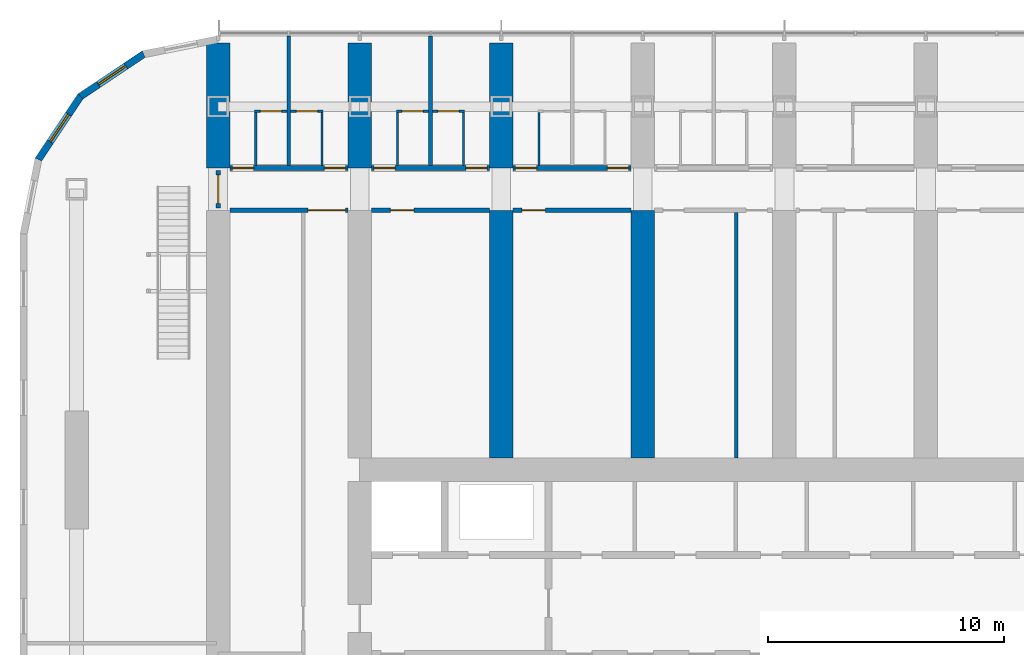
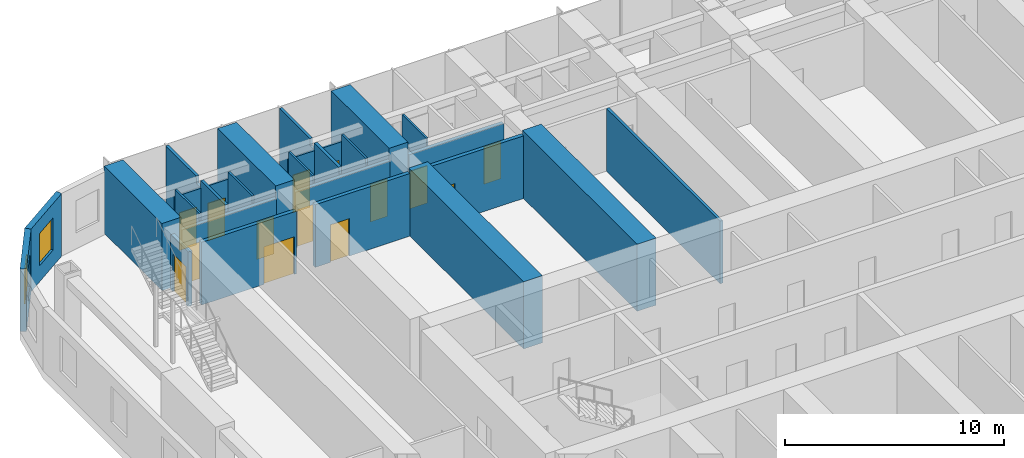
# One storey, part 17 of 28: 26 walls, 14 doors, 2 windows, 16 openings.
"""IFC4 building model written with IfcOpenShell, lengths in metres."""

from ifc_helpers import new_model, si_unit, direction, frame, frame_2d, origin, place, context, subcontext, project, spatial, polyline, rectangle, outline, extrude, material, layer, layer_set, type_object, element, fill, save


model = new_model("IFC4")

# Units and contexts
model_context = context("Model", 3, precision=1e-05, world=origin(), true_north=direction((0.0, 1.0)))
body_context = subcontext(model_context, "Body", "Model", "MODEL_VIEW")
ifc_project = project(units=[si_unit("LENGTHUNIT", "METRE"), si_unit("AREAUNIT", "SQUARE_METRE"), si_unit("VOLUMEUNIT", "CUBIC_METRE"), si_unit("PLANEANGLEUNIT", "RADIAN"), si_unit("MASSUNIT", "GRAM", prefix="KILO")], contexts=[model_context])

# Site, building, storey
site_placement = place(None, origin())
site = spatial("IfcSite", under=ifc_project, at=site_placement, CompositionType="ELEMENT")
building_placement = place(site_placement, origin())
building = spatial("IfcBuilding", under=site, at=building_placement, Name="Orbita Commons", CompositionType="ELEMENT")
storey_placement = place(building_placement, frame((0.0, 0.0, 38.949951171875)))
storey = spatial("IfcBuildingStorey", under=building, at=storey_placement, Name="L09", CompositionType="ELEMENT", Elevation=38.949951171875)

# Wall, openings, doors
ifc_material_1 = material(Name="Concrete blockwork", Category="masonry")
ifc_layer_1 = layer(ifc_material_1, 0.199951171875)
ifc_layer_set_1 = layer_set([ifc_layer_1], Name="Concrete blockwork")
wall_type_1 = type_object("IfcWallType", Name="Corridor wall 200 blockwork", PredefinedType="SOLIDWALL", material=ifc_layer_set_1)
wall_1_placement = place(storey_placement, frame((12.5, 51.0, 0.0), z_axis=(0.0, 0.0, 1.0), x_axis=(1.0, 0.0, 0.0)))
wall_1 = element("IfcWall", 1, at=wall_1_placement, inside=storey, type_object=wall_type_1, Name="Corridor wall 200 blockwork L09", PredefinedType="SOLIDWALL", context=body_context, shape_type="SweptSolid", body=[
    extrude(outline(polyline([(0.0, 0.0), (5.0, 0.0), (5.0, 3.10009765625), (0.0, 3.10009765625), (0.0, 0.0)])), frame((0.0, 0.10009765625, 0.0), z_axis=(0.0, -1.0, 0.0), x_axis=(1.0, 0.0, 0.0)), (0.0, 0.0, 1.0), 0.199951171875),
])
opening_1_placement = place(wall_1_placement, frame((0.10009765625, 0.0, 0.0)))
opening_1 = element("IfcOpeningElement", 2, at=opening_1_placement, cuts=wall_1, Name="Opening D11", PredefinedType="OPENING", context=body_context, shape_type="SweptSolid", body=[
    extrude(rectangle(XDim=0.89990234375, YDim=2.10009765625, at=frame_2d((0.449951171875, 1.050048828125))), frame((0.0, 0.10986328125, 0.0), z_axis=(0.0, -1.0, 0.0), x_axis=(1.0, 0.0, 0.0)), (0.0, 0.0, 1.0), 0.219970703125),
])
opening_2_placement = place(wall_1_placement, frame((4.0, 0.0, 0.0)))
opening_2 = element("IfcOpeningElement", 3, at=opening_2_placement, cuts=wall_1, Name="Opening D11", PredefinedType="OPENING", context=body_context, shape_type="SweptSolid", body=[
    extrude(rectangle(XDim=0.89990234375, YDim=2.10009765625, at=frame_2d((0.449951171875, 1.050048828125))), frame((0.0, 0.10986328125, 0.0), z_axis=(0.0, -1.0, 0.0), x_axis=(1.0, 0.0, 0.0)), (0.0, 0.0, 1.0), 0.219970703125),
])
ifc_material_2 = material(Name="Steel-faced fire door leaf", Category="steel")
door_type_1 = type_object("IfcDoorType", Name="Corridor door 20 min 900x2100", OperationType="SINGLE_SWING_LEFT", PredefinedType="DOOR", material=ifc_material_2)
door_1_placement = place(opening_1_placement, origin())
door_1 = element("IfcDoor", 4, at=door_1_placement, inside=storey, type_object=door_type_1, Name="House bedroom L09-N00 door", OperationType="SINGLE_SWING_LEFT", OverallHeight=2.10009765625, OverallWidth=0.89990234375, PredefinedType="DOOR", context=body_context, shape_type="SweptSolid", body=[
    extrude(rectangle(XDim=0.89990234375, YDim=2.10009765625, at=frame_2d((0.449951171875, 1.050048828125))), frame((0.0, 0.02490234375, 0.0), z_axis=(0.0, -1.0, 0.0), x_axis=(1.0, 0.0, 0.0)), (0.0, 0.0, 1.0), 0.050048828125),
])
fill(opening_1, door_1)
door_2_placement = place(opening_2_placement, origin())
door_2 = element("IfcDoor", 5, at=door_2_placement, inside=storey, type_object=door_type_1, Name="House bedroom L09-N01 door", OperationType="SINGLE_SWING_LEFT", OverallHeight=2.10009765625, OverallWidth=0.89990234375, PredefinedType="DOOR", context=body_context, shape_type="SweptSolid", body=[
    extrude(rectangle(XDim=0.89990234375, YDim=2.10009765625, at=frame_2d((0.449951171875, 1.050048828125))), frame((0.0, 0.02490234375, 0.0), z_axis=(0.0, -1.0, 0.0), x_axis=(1.0, 0.0, 0.0)), (0.0, 0.0, 1.0), 0.050048828125),
])
fill(opening_2, door_2)

wall_2_placement = place(storey_placement, frame((18.5, 51.0, 0.0), z_axis=(0.0, 0.0, 1.0), x_axis=(1.0, 0.0, 0.0)))
wall_2 = element("IfcWall", 6, at=wall_2_placement, inside=storey, type_object=wall_type_1, Name="Corridor wall 200 blockwork L09", PredefinedType="SOLIDWALL", context=body_context, shape_type="SweptSolid", body=[
    extrude(outline(polyline([(0.0, 0.0), (5.0, 0.0), (5.0, 3.10009765625), (0.0, 3.10009765625), (0.0, 0.0)])), frame((0.0, 0.10009765625, 0.0), z_axis=(0.0, -1.0, 0.0), x_axis=(1.0, 0.0, 0.0)), (0.0, 0.0, 1.0), 0.199951171875),
])
opening_3_placement = place(wall_2_placement, frame((0.10009765625, 0.0, 0.0)))
opening_3 = element("IfcOpeningElement", 7, at=opening_3_placement, cuts=wall_2, Name="Opening D11", PredefinedType="OPENING", context=body_context, shape_type="SweptSolid", body=[
    extrude(rectangle(XDim=0.89990234375, YDim=2.10009765625, at=frame_2d((0.449951171875, 1.050048828125))), frame((0.0, 0.10986328125, 0.0), z_axis=(0.0, -1.0, 0.0), x_axis=(1.0, 0.0, 0.0)), (0.0, 0.0, 1.0), 0.219970703125),
])
opening_4_placement = place(wall_2_placement, frame((4.0, 0.0, 0.0)))
opening_4 = element("IfcOpeningElement", 8, at=opening_4_placement, cuts=wall_2, Name="Opening D11", PredefinedType="OPENING", context=body_context, shape_type="SweptSolid", body=[
    extrude(rectangle(XDim=0.89990234375, YDim=2.10009765625, at=frame_2d((0.449951171875, 1.050048828125))), frame((0.0, 0.10986328125, 0.0), z_axis=(0.0, -1.0, 0.0), x_axis=(1.0, 0.0, 0.0)), (0.0, 0.0, 1.0), 0.219970703125),
])
door_3_placement = place(opening_3_placement, origin())
door_3 = element("IfcDoor", 9, at=door_3_placement, inside=storey, type_object=door_type_1, Name="House bedroom L09-N02 door", OperationType="SINGLE_SWING_LEFT", OverallHeight=2.10009765625, OverallWidth=0.89990234375, PredefinedType="DOOR", context=body_context, shape_type="SweptSolid", body=[
    extrude(rectangle(XDim=0.89990234375, YDim=2.10009765625, at=frame_2d((0.449951171875, 1.050048828125))), frame((0.0, 0.02490234375, 0.0), z_axis=(0.0, -1.0, 0.0), x_axis=(1.0, 0.0, 0.0)), (0.0, 0.0, 1.0), 0.050048828125),
])
fill(opening_3, door_3)
door_4_placement = place(opening_4_placement, origin())
door_4 = element("IfcDoor", 10, at=door_4_placement, inside=storey, type_object=door_type_1, Name="House bedroom L09-N03 door", OperationType="SINGLE_SWING_LEFT", OverallHeight=2.10009765625, OverallWidth=0.89990234375, PredefinedType="DOOR", context=body_context, shape_type="SweptSolid", body=[
    extrude(rectangle(XDim=0.89990234375, YDim=2.10009765625, at=frame_2d((0.449951171875, 1.050048828125))), frame((0.0, 0.02490234375, 0.0), z_axis=(0.0, -1.0, 0.0), x_axis=(1.0, 0.0, 0.0)), (0.0, 0.0, 1.0), 0.050048828125),
])
fill(opening_4, door_4)

wall_3_placement = place(storey_placement, frame((24.5, 51.0, 0.0), z_axis=(0.0, 0.0, 1.0), x_axis=(1.0, 0.0, 0.0)))
wall_3 = element("IfcWall", 11, at=wall_3_placement, inside=storey, type_object=wall_type_1, Name="Corridor wall 200 blockwork L09", PredefinedType="SOLIDWALL", context=body_context, shape_type="SweptSolid", body=[
    extrude(outline(polyline([(0.0, 0.0), (5.0, 0.0), (5.0, 3.10009765625), (0.0, 3.10009765625), (0.0, 0.0)])), frame((0.0, 0.10009765625, 0.0), z_axis=(0.0, -1.0, 0.0), x_axis=(1.0, 0.0, 0.0)), (0.0, 0.0, 1.0), 0.199951171875),
])
opening_5_placement = place(wall_3_placement, frame((0.10009765625, 0.0, 0.0)))
opening_5 = element("IfcOpeningElement", 12, at=opening_5_placement, cuts=wall_3, Name="Opening D11", PredefinedType="OPENING", context=body_context, shape_type="SweptSolid", body=[
    extrude(rectangle(XDim=0.89990234375, YDim=2.10009765625, at=frame_2d((0.449951171875, 1.050048828125))), frame((0.0, 0.10986328125, 0.0), z_axis=(0.0, -1.0, 0.0), x_axis=(1.0, 0.0, 0.0)), (0.0, 0.0, 1.0), 0.219970703125),
])
opening_6_placement = place(wall_3_placement, frame((4.0, 0.0, 0.0)))
opening_6 = element("IfcOpeningElement", 13, at=opening_6_placement, cuts=wall_3, Name="Opening D11", PredefinedType="OPENING", context=body_context, shape_type="SweptSolid", body=[
    extrude(rectangle(XDim=0.89990234375, YDim=2.10009765625, at=frame_2d((0.449951171875, 1.050048828125))), frame((0.0, 0.10986328125, 0.0), z_axis=(0.0, -1.0, 0.0), x_axis=(1.0, 0.0, 0.0)), (0.0, 0.0, 1.0), 0.219970703125),
])
door_5_placement = place(opening_5_placement, origin())
door_5 = element("IfcDoor", 14, at=door_5_placement, inside=storey, type_object=door_type_1, Name="House bedroom L09-N04 door", OperationType="SINGLE_SWING_LEFT", OverallHeight=2.10009765625, OverallWidth=0.89990234375, PredefinedType="DOOR", context=body_context, shape_type="SweptSolid", body=[
    extrude(rectangle(XDim=0.89990234375, YDim=2.10009765625, at=frame_2d((0.449951171875, 1.050048828125))), frame((0.0, 0.02490234375, 0.0), z_axis=(0.0, -1.0, 0.0), x_axis=(1.0, 0.0, 0.0)), (0.0, 0.0, 1.0), 0.050048828125),
])
fill(opening_5, door_5)
door_6_placement = place(opening_6_placement, origin())
door_6 = element("IfcDoor", 15, at=door_6_placement, inside=storey, type_object=door_type_1, Name="House bedroom L09-N05 door", OperationType="SINGLE_SWING_LEFT", OverallHeight=2.10009765625, OverallWidth=0.89990234375, PredefinedType="DOOR", context=body_context, shape_type="SweptSolid", body=[
    extrude(rectangle(XDim=0.89990234375, YDim=2.10009765625, at=frame_2d((0.449951171875, 1.050048828125))), frame((0.0, 0.02490234375, 0.0), z_axis=(0.0, -1.0, 0.0), x_axis=(1.0, 0.0, 0.0)), (0.0, 0.0, 1.0), 0.050048828125),
])
fill(opening_6, door_6)

# Wall, opening, door
wall_4_placement = place(storey_placement, frame((12.0, 49.300048828125, 0.0), z_axis=(0.0, 0.0, 1.0), x_axis=(0.0, 1.0, 0.0)))
wall_4 = element("IfcWall", 16, at=wall_4_placement, inside=storey, type_object=wall_type_1, Name="Corridor wall 200 blockwork L09", PredefinedType="SOLIDWALL", context=body_context, shape_type="SweptSolid", body=[
    extrude(outline(polyline([(0.0, 0.0), (1.599853515625, 0.0), (1.60009765625, 3.050048828125), (0.0, 3.050048828125), (0.0, 0.0)])), frame((0.0, 0.10009765625, 0.0), z_axis=(0.0, -1.0, 0.0), x_axis=(1.0, 0.0, 0.0)), (0.0, 0.0, 1.0), 0.199951171875),
])
opening_7_placement = place(wall_4_placement, frame((0.199951171875, 0.0, 0.0)))
opening_7 = element("IfcOpeningElement", 17, at=opening_7_placement, cuts=wall_4, Name="Opening D12", PredefinedType="OPENING", context=body_context, shape_type="SweptSolid", body=[
    extrude(rectangle(XDim=1.199951171875, YDim=2.10009765625, at=frame_2d((0.60009765625, 1.050048828125))), frame((0.0, 0.10986328125, 0.0), z_axis=(0.0, -1.0, 0.0), x_axis=(1.0, 0.0, 0.0)), (0.0, 0.0, 1.0), 0.219970703125),
])
ifc_material_3 = material(Name="Steel-faced fire door leaf", Category="steel")
door_type_2 = type_object("IfcDoorType", Name="Double corridor door 20 min 1200x2100", OperationType="DOUBLE_DOOR_SINGLE_SWING", PredefinedType="DOOR", material=ifc_material_3)
door_7_placement = place(opening_7_placement, origin())
door_7 = element("IfcDoor", 18, at=door_7_placement, inside=storey, type_object=door_type_2, Name="Lounge doors", OperationType="DOUBLE_DOOR_SINGLE_SWING", OverallHeight=2.10009765625, OverallWidth=1.199951171875, PredefinedType="DOOR", context=body_context, shape_type="SweptSolid", body=[
    extrude(rectangle(XDim=1.199951171875, YDim=2.10009765625, at=frame_2d((0.60009765625, 1.050048828125))), frame((0.0, 0.02490234375, 0.0), z_axis=(0.0, -1.0, 0.0), x_axis=(1.0, 0.0, 0.0)), (0.0, 0.0, 1.0), 0.050048828125),
])
fill(opening_7, door_7)

ifc_material_4 = material(Name="Hollow concrete block 200", Category="concrete")
ifc_layer_2 = layer(ifc_material_4, 0.199951171875)
ifc_layer_set_2 = layer_set([ifc_layer_2], Name="Hollow concrete block 200")
wall_type_2 = type_object("IfcWallType", Name="Corridor wall 200 hollow concrete block", PredefinedType="SOLIDWALL", material=ifc_layer_set_2)
wall_5_placement = place(storey_placement, frame((12.5, 49.199951171875, 0.0), z_axis=(0.0, 0.0, 1.0), x_axis=(1.0, 0.0, 0.0)))
wall_5 = element("IfcWall", 19, at=wall_5_placement, inside=storey, type_object=wall_type_2, Name="Corridor wall 200 hollow concrete block L09", PredefinedType="SOLIDWALL", context=body_context, shape_type="SweptSolid", body=[
    extrude(rectangle(XDim=5.0, YDim=0.199951171875, at=frame_2d((2.5, 0.0))), origin(), (0.0, 0.0, 1.0), 3.5),
])
opening_8_placement = place(wall_5_placement, frame((3.300048828125, 0.0, 0.0)))
opening_8 = element("IfcOpeningElement", 20, at=opening_8_placement, cuts=wall_5, Name="Opening D10", PredefinedType="OPENING", context=body_context, shape_type="SweptSolid", body=[
    extrude(rectangle(XDim=1.60009765625, YDim=2.10009765625, at=frame_2d((0.800048828125, 1.050048828125))), frame((0.0, 0.10986328125, 0.0), z_axis=(0.0, -1.0, 0.0), x_axis=(1.0, 0.0, 0.0)), (0.0, 0.0, 1.0), 0.219970703125),
])
ifc_material_5 = material(Name="Steel-faced fire door leaf", Category="steel")
door_type_3 = type_object("IfcDoorType", Name="Double corridor door 20 min 1600x2100", OperationType="DOUBLE_DOOR_SINGLE_SWING", PredefinedType="DOOR", material=ifc_material_5)
door_8_placement = place(opening_8_placement, origin())
door_8 = element("IfcDoor", 21, at=door_8_placement, inside=storey, type_object=door_type_3, Name="Cross corridor doors", OperationType="DOUBLE_DOOR_SINGLE_SWING", OverallHeight=2.10009765625, OverallWidth=1.60009765625, PredefinedType="DOOR", context=body_context, shape_type="SweptSolid", body=[
    extrude(rectangle(XDim=1.60009765625, YDim=2.10009765625, at=frame_2d((0.800048828125, 1.050048828125))), frame((0.0, 0.02490234375, 0.0), z_axis=(0.0, -1.0, 0.0), x_axis=(1.0, 0.0, 0.0)), (0.0, 0.0, 1.0), 0.050048828125),
])
fill(opening_8, door_8)

wall_6_placement = place(storey_placement, frame((18.5, 49.199951171875, 0.0), z_axis=(0.0, 0.0, 1.0), x_axis=(1.0, 0.0, 0.0)))
wall_6 = element("IfcWall", 22, at=wall_6_placement, inside=storey, type_object=wall_type_2, Name="Corridor wall 200 hollow concrete block L09", PredefinedType="SOLIDWALL", context=body_context, shape_type="SweptSolid", body=[
    extrude(rectangle(XDim=5.0, YDim=0.199951171875, at=frame_2d((2.5, 0.0))), origin(), (0.0, 0.0, 1.0), 3.5),
])
opening_9_placement = place(wall_6_placement, frame((0.800048828125, 0.0, 0.0)))
opening_9 = element("IfcOpeningElement", 23, at=opening_9_placement, cuts=wall_6, Name="Opening D06", PredefinedType="OPENING", context=body_context, shape_type="SweptSolid", body=[
    extrude(rectangle(XDim=1.0, YDim=2.10009765625, at=frame_2d((0.5, 1.050048828125))), frame((0.0, 0.10986328125, 0.0), z_axis=(0.0, -1.0, 0.0), x_axis=(1.0, 0.0, 0.0)), (0.0, 0.0, 1.0), 0.219970703125),
])
ifc_material_6 = material(Name="Steel-faced fire door leaf", Category="steel")
door_type_4 = type_object("IfcDoorType", Name="Corridor door 20 min 1000x2100", OperationType="SINGLE_SWING_LEFT", PredefinedType="DOOR", material=ifc_material_6)
door_9_placement = place(opening_9_placement, origin())
door_9 = element("IfcDoor", 24, at=door_9_placement, inside=storey, type_object=door_type_4, Name="Refuse and recycling room L09-BDN18 door", OperationType="SINGLE_SWING_LEFT", OverallHeight=2.10009765625, OverallWidth=1.0, PredefinedType="DOOR", context=body_context, shape_type="SweptSolid", body=[
    extrude(rectangle(XDim=1.0, YDim=2.10009765625, at=frame_2d((0.5, 1.050048828125))), frame((0.0, 0.02490234375, 0.0), z_axis=(0.0, -1.0, 0.0), x_axis=(1.0, 0.0, 0.0)), (0.0, 0.0, 1.0), 0.050048828125),
])
fill(opening_9, door_9)

wall_7_placement = place(storey_placement, frame((24.5, 49.199951171875, 0.0), z_axis=(0.0, 0.0, 1.0), x_axis=(1.0, 0.0, 0.0)))
wall_7 = element("IfcWall", 25, at=wall_7_placement, inside=storey, type_object=wall_type_2, Name="Corridor wall 200 hollow concrete block L09", PredefinedType="SOLIDWALL", context=body_context, shape_type="SweptSolid", body=[
    extrude(rectangle(XDim=5.0, YDim=0.199951171875, at=frame_2d((2.5, 0.0))), origin(), (0.0, 0.0, 1.0), 3.5),
])
opening_10_placement = place(wall_7_placement, frame((0.375, 0.0, 0.0)))
opening_10 = element("IfcOpeningElement", 26, at=opening_10_placement, cuts=wall_7, Name="Opening D06", PredefinedType="OPENING", context=body_context, shape_type="SweptSolid", body=[
    extrude(rectangle(XDim=1.0, YDim=2.10009765625, at=frame_2d((0.5, 1.050048828125))), frame((0.0, 0.10986328125, 0.0), z_axis=(0.0, -1.0, 0.0), x_axis=(1.0, 0.0, 0.0)), (0.0, 0.0, 1.0), 0.219970703125),
])
door_10_placement = place(opening_10_placement, origin())
door_10 = element("IfcDoor", 27, at=door_10_placement, inside=storey, type_object=door_type_4, Name="Cleaners store L09-BDN24 door", OperationType="SINGLE_SWING_LEFT", OverallHeight=2.10009765625, OverallWidth=1.0, PredefinedType="DOOR", context=body_context, shape_type="SweptSolid", body=[
    extrude(rectangle(XDim=1.0, YDim=2.10009765625, at=frame_2d((0.5, 1.050048828125))), frame((0.0, 0.02490234375, 0.0), z_axis=(0.0, -1.0, 0.0), x_axis=(1.0, 0.0, 0.0)), (0.0, 0.0, 1.0), 0.050048828125),
])
fill(opening_10, door_10)

# Walls
ifc_material_7 = material(Name="Concrete C50/60", Category="concrete")
ifc_layer_3 = layer(ifc_material_7, 1.0)
ifc_layer_set_3 = layer_set([ifc_layer_3], Name="Concrete C50/60")
wall_type_3 = type_object("IfcWallType", Name="Cross wall 1000 C50/60", PredefinedType="SHEAR", material=ifc_layer_set_3)
for number, where, z_axis, x_axis, name in (
    (28, (12.0, 51.0, 0.0), (0.0, 0.0, 1.0), (0.0, 1.0, 0.0), "Cross wall 3 north outer L09"),
    (29, (18.0, 51.0, 0.0), (0.0, 0.0, 1.0), (0.0, 1.0, 0.0), "Cross wall 4 north outer L09"),
    (30, (24.0, 51.0, 0.0), (0.0, 0.0, 1.0), (0.0, 1.0, 0.0), "Cross wall 5 north outer L09"),
):
    element("IfcWall", number, at=place(storey_placement, frame(where, z_axis=z_axis, x_axis=x_axis)), inside=storey, type_object=wall_type_3, Name=name, PredefinedType="SHEAR", context=body_context, shape_type="SweptSolid", body=[
        extrude(rectangle(XDim=5.300048828125, YDim=1.0, at=frame_2d((2.64990234375, 0.0))), origin(), (0.0, 0.0, 1.0), 3.75),
    ])
for number, where, z_axis, x_axis, name in (
    (31, (24.0, 38.699951171875, 0.0), (0.0, 0.0, 1.0), (0.0, 1.0, 0.0), "Cross wall 5 north inner L09"),
    (32, (30.0, 38.699951171875, 0.0), (0.0, 0.0, 1.0), (0.0, 1.0, 0.0), "Cross wall 6 north inner L09"),
):
    element("IfcWall", number, at=place(storey_placement, frame(where, z_axis=z_axis, x_axis=x_axis)), inside=storey, type_object=wall_type_3, Name=name, PredefinedType="SHEAR", context=body_context, shape_type="SweptSolid", body=[
        extrude(rectangle(XDim=10.5, YDim=1.0, at=frame_2d((5.25, 0.0))), origin(), (0.0, 0.0, 1.0), 3.75),
    ])

# Wall, opening, door
ifc_material_8 = material(Name="Moisture-resistant plasterboard on steel studs", Category="steel")
ifc_layer_4 = layer(ifc_material_8, 0.10009765625)
ifc_layer_set_4 = layer_set([ifc_layer_4], Name="Moisture-resistant plasterboard on steel studs")
wall_type_4 = type_object("IfcWallType", Name="En-suite partition 100", PredefinedType="PARTITIONING", material=ifc_layer_set_4)
wall_8_placement = place(storey_placement, frame((13.550048828125, 53.40185546875, 0.0), z_axis=(0.0, 0.0, 1.0), x_axis=(1.0, 0.0, 0.0)))
wall_8 = element("IfcWall", 33, at=wall_8_placement, inside=storey, type_object=wall_type_4, Name="En-suite partition 100 L09", PredefinedType="PARTITIONING", context=body_context, shape_type="SweptSolid", body=[
    extrude(outline(polyline([(0.0, 0.0), (1.375, 0.0), (1.375, 3.10009765625), (0.0, 3.10009765625), (0.0, 0.0)])), frame((0.0, 0.050048828125, 0.0), z_axis=(0.0, -1.0, 0.0), x_axis=(1.0, 0.0, 0.0)), (0.0, 0.0, 1.0), 0.10009765625),
])
opening_11_placement = place(wall_8_placement, frame((0.237548828125, 0.0, 0.0)))
opening_11 = element("IfcOpeningElement", 34, at=opening_11_placement, cuts=wall_8, Name="Opening D09", PredefinedType="OPENING", context=body_context, shape_type="SweptSolid", body=[
    extrude(rectangle(XDim=0.89990234375, YDim=2.10009765625, at=frame_2d((0.449951171875, 1.050048828125))), frame((0.0, 0.06005859375, 0.0), z_axis=(0.0, -1.0, 0.0), x_axis=(1.0, 0.0, 0.0)), (0.0, 0.0, 1.0), 0.1201171875),
])
ifc_material_9 = material(Name="Laminated timber door leaf", Category="wood")
door_type_5 = type_object("IfcDoorType", Name="En-suite door 900x2100", OperationType="SINGLE_SWING_RIGHT", PredefinedType="DOOR", material=ifc_material_9)
door_11_placement = place(opening_11_placement, origin())
door_11 = element("IfcDoor", 35, at=door_11_placement, inside=storey, type_object=door_type_5, Name="En-suite L09-N00 door", OperationType="SINGLE_SWING_RIGHT", OverallHeight=2.10009765625, OverallWidth=0.89990234375, PredefinedType="DOOR", context=body_context, shape_type="SweptSolid", body=[
    extrude(rectangle(XDim=0.89990234375, YDim=2.10009765625, at=frame_2d((0.449951171875, 1.050048828125))), frame((0.0, 0.02490234375, 0.0), z_axis=(0.0, -1.0, 0.0), x_axis=(1.0, 0.0, 0.0)), (0.0, 0.0, 1.0), 0.050048828125),
])
fill(opening_11, door_11)

# Wall
wall_9_placement = place(storey_placement, frame((13.60009765625, 53.351806640625, 0.0), z_axis=(0.0, 0.0, 1.0), x_axis=(0.0, -1.0, 0.0)))
element("IfcWall", 36, at=wall_9_placement, inside=storey, type_object=wall_type_4, Name="En-suite partition 100 L09", PredefinedType="PARTITIONING", context=body_context, shape_type="SweptSolid", body=[
    extrude(outline(polyline([(0.0, 0.0), (2.251708984375, 0.0), (2.251953125, 3.10009765625), (2.203857421875, 3.10009765625), (2.201904296875, 3.5), (0.0, 3.5), (0.0, 0.0)])), frame((0.0, 0.050048828125, 0.0), z_axis=(0.0, -1.0, 0.0), x_axis=(1.0, 0.0, 0.0)), (0.0, 0.0, 1.0), 0.10009765625),
])

# Wall, opening, door
wall_10_placement = place(storey_placement, frame((15.074951171875, 53.40185546875, 0.0), z_axis=(0.0, 0.0, 1.0), x_axis=(1.0, 0.0, 0.0)))
wall_10 = element("IfcWall", 37, at=wall_10_placement, inside=storey, type_object=wall_type_4, Name="En-suite partition 100 L09", PredefinedType="PARTITIONING", context=body_context, shape_type="SweptSolid", body=[
    extrude(outline(polyline([(0.0, 0.0), (1.375, 0.0), (1.375, 3.10009765625), (0.0, 3.10009765625), (0.0, 0.0)])), frame((0.0, 0.050048828125, 0.0), z_axis=(0.0, -1.0, 0.0), x_axis=(1.0, 0.0, 0.0)), (0.0, 0.0, 1.0), 0.10009765625),
])
opening_12_placement = place(wall_10_placement, frame((0.237548828125, 0.0, 0.0)))
opening_12 = element("IfcOpeningElement", 38, at=opening_12_placement, cuts=wall_10, Name="Opening D09", PredefinedType="OPENING", context=body_context, shape_type="SweptSolid", body=[
    extrude(rectangle(XDim=0.89990234375, YDim=2.10009765625, at=frame_2d((0.449951171875, 1.050048828125))), frame((0.0, 0.06005859375, 0.0), z_axis=(0.0, -1.0, 0.0), x_axis=(1.0, 0.0, 0.0)), (0.0, 0.0, 1.0), 0.1201171875),
])
door_12_placement = place(opening_12_placement, origin())
door_12 = element("IfcDoor", 39, at=door_12_placement, inside=storey, type_object=door_type_5, Name="En-suite L09-N01 door", OperationType="SINGLE_SWING_RIGHT", OverallHeight=2.10009765625, OverallWidth=0.89990234375, PredefinedType="DOOR", context=body_context, shape_type="SweptSolid", body=[
    extrude(rectangle(XDim=0.89990234375, YDim=2.10009765625, at=frame_2d((0.449951171875, 1.050048828125))), frame((0.0, 0.02490234375, 0.0), z_axis=(0.0, -1.0, 0.0), x_axis=(1.0, 0.0, 0.0)), (0.0, 0.0, 1.0), 0.050048828125),
])
fill(opening_12, door_12)

# Wall
wall_11_placement = place(storey_placement, frame((16.39990234375, 53.351806640625, 0.0), z_axis=(0.0, 0.0, 1.0), x_axis=(0.0, -1.0, 0.0)))
element("IfcWall", 40, at=wall_11_placement, inside=storey, type_object=wall_type_4, Name="En-suite partition 100 L09", PredefinedType="PARTITIONING", context=body_context, shape_type="SweptSolid", body=[
    extrude(outline(polyline([(0.0, 0.0), (2.251708984375, 0.0), (2.251953125, 3.10009765625), (2.203857421875, 3.10009765625), (2.201904296875, 3.5), (0.0, 3.5), (0.0, 0.0)])), frame((0.0, 0.050048828125, 0.0), z_axis=(0.0, -1.0, 0.0), x_axis=(1.0, 0.0, 0.0)), (0.0, 0.0, 1.0), 0.10009765625),
])

# Wall, opening, door
wall_12_placement = place(storey_placement, frame((19.550048828125, 53.40185546875, 0.0), z_axis=(0.0, 0.0, 1.0), x_axis=(1.0, 0.0, 0.0)))
wall_12 = element("IfcWall", 41, at=wall_12_placement, inside=storey, type_object=wall_type_4, Name="En-suite partition 100 L09", PredefinedType="PARTITIONING", context=body_context, shape_type="SweptSolid", body=[
    extrude(outline(polyline([(0.0, 0.0), (1.375, 0.0), (1.375, 3.10009765625), (0.0, 3.10009765625), (0.0, 0.0)])), frame((0.0, 0.050048828125, 0.0), z_axis=(0.0, -1.0, 0.0), x_axis=(1.0, 0.0, 0.0)), (0.0, 0.0, 1.0), 0.10009765625),
])
opening_13_placement = place(wall_12_placement, frame((0.237548828125, 0.0, 0.0)))
opening_13 = element("IfcOpeningElement", 42, at=opening_13_placement, cuts=wall_12, Name="Opening D09", PredefinedType="OPENING", context=body_context, shape_type="SweptSolid", body=[
    extrude(rectangle(XDim=0.89990234375, YDim=2.10009765625, at=frame_2d((0.449951171875, 1.050048828125))), frame((0.0, 0.06005859375, 0.0), z_axis=(0.0, -1.0, 0.0), x_axis=(1.0, 0.0, 0.0)), (0.0, 0.0, 1.0), 0.1201171875),
])
door_13_placement = place(opening_13_placement, origin())
door_13 = element("IfcDoor", 43, at=door_13_placement, inside=storey, type_object=door_type_5, Name="En-suite L09-N02 door", OperationType="SINGLE_SWING_RIGHT", OverallHeight=2.10009765625, OverallWidth=0.89990234375, PredefinedType="DOOR", context=body_context, shape_type="SweptSolid", body=[
    extrude(rectangle(XDim=0.89990234375, YDim=2.10009765625, at=frame_2d((0.449951171875, 1.050048828125))), frame((0.0, 0.02490234375, 0.0), z_axis=(0.0, -1.0, 0.0), x_axis=(1.0, 0.0, 0.0)), (0.0, 0.0, 1.0), 0.050048828125),
])
fill(opening_13, door_13)

# Wall
wall_13_placement = place(storey_placement, frame((19.60009765625, 53.351806640625, 0.0), z_axis=(0.0, 0.0, 1.0), x_axis=(0.0, -1.0, 0.0)))
element("IfcWall", 44, at=wall_13_placement, inside=storey, type_object=wall_type_4, Name="En-suite partition 100 L09", PredefinedType="PARTITIONING", context=body_context, shape_type="SweptSolid", body=[
    extrude(outline(polyline([(0.0, 0.0), (2.251708984375, 0.0), (2.251953125, 3.10009765625), (2.203857421875, 3.10009765625), (2.201904296875, 3.5), (0.0, 3.5), (0.0, 0.0)])), frame((0.0, 0.050048828125, 0.0), z_axis=(0.0, -1.0, 0.0), x_axis=(1.0, 0.0, 0.0)), (0.0, 0.0, 1.0), 0.10009765625),
])

# Wall, opening, door
wall_14_placement = place(storey_placement, frame((21.074951171875, 53.40185546875, 0.0), z_axis=(0.0, 0.0, 1.0), x_axis=(1.0, 0.0, 0.0)))
wall_14 = element("IfcWall", 45, at=wall_14_placement, inside=storey, type_object=wall_type_4, Name="En-suite partition 100 L09", PredefinedType="PARTITIONING", context=body_context, shape_type="SweptSolid", body=[
    extrude(outline(polyline([(0.0, 0.0), (1.375, 0.0), (1.375, 3.10009765625), (0.0, 3.10009765625), (0.0, 0.0)])), frame((0.0, 0.050048828125, 0.0), z_axis=(0.0, -1.0, 0.0), x_axis=(1.0, 0.0, 0.0)), (0.0, 0.0, 1.0), 0.10009765625),
])
opening_14_placement = place(wall_14_placement, frame((0.237548828125, 0.0, 0.0)))
opening_14 = element("IfcOpeningElement", 46, at=opening_14_placement, cuts=wall_14, Name="Opening D09", PredefinedType="OPENING", context=body_context, shape_type="SweptSolid", body=[
    extrude(rectangle(XDim=0.89990234375, YDim=2.10009765625, at=frame_2d((0.449951171875, 1.050048828125))), frame((0.0, 0.06005859375, 0.0), z_axis=(0.0, -1.0, 0.0), x_axis=(1.0, 0.0, 0.0)), (0.0, 0.0, 1.0), 0.1201171875),
])
door_14_placement = place(opening_14_placement, origin())
door_14 = element("IfcDoor", 47, at=door_14_placement, inside=storey, type_object=door_type_5, Name="En-suite L09-N03 door", OperationType="SINGLE_SWING_RIGHT", OverallHeight=2.10009765625, OverallWidth=0.89990234375, PredefinedType="DOOR", context=body_context, shape_type="SweptSolid", body=[
    extrude(rectangle(XDim=0.89990234375, YDim=2.10009765625, at=frame_2d((0.449951171875, 1.050048828125))), frame((0.0, 0.02490234375, 0.0), z_axis=(0.0, -1.0, 0.0), x_axis=(1.0, 0.0, 0.0)), (0.0, 0.0, 1.0), 0.050048828125),
])
fill(opening_14, door_14)

# Walls
for number, where, z_axis, x_axis, name in (
    (48, (22.39990234375, 53.351806640625, 0.0), (0.0, 0.0, 1.0), (0.0, -1.0, 0.0), "En-suite partition 100 L09"),
    (49, (25.60009765625, 53.351806640625, 0.0), (0.0, 0.0, 1.0), (0.0, -1.0, 0.0), "En-suite partition 100 L09"),
):
    element("IfcWall", number, at=place(storey_placement, frame(where, z_axis=z_axis, x_axis=x_axis)), inside=storey, type_object=wall_type_4, Name=name, PredefinedType="PARTITIONING", context=body_context, shape_type="SweptSolid", body=[
        extrude(outline(polyline([(0.0, 0.0), (2.251708984375, 0.0), (2.251953125, 3.10009765625), (2.203857421875, 3.10009765625), (2.201904296875, 3.5), (0.0, 3.5), (0.0, 0.0)])), frame((0.0, 0.050048828125, 0.0), z_axis=(0.0, -1.0, 0.0), x_axis=(1.0, 0.0, 0.0)), (0.0, 0.0, 1.0), 0.10009765625),
    ])
ifc_material_10 = material(Name="Gypsum plasterboard on steel studs", Category="steel")
ifc_layer_5 = layer(ifc_material_10, 0.14990234375)
ifc_layer_set_5 = layer_set([ifc_layer_5], Name="Gypsum plasterboard on steel studs")
wall_type_5 = type_object("IfcWallType", Name="Partition 150 plasterboard", PredefinedType="PARTITIONING", material=ifc_layer_set_5)
wall_15_placement = place(storey_placement, frame((33.955078125, 38.699951171875, 0.0), z_axis=(0.0, 0.0, 1.0), x_axis=(0.0, 1.0, 0.0)))
element("IfcWall", 50, at=wall_15_placement, inside=storey, type_object=wall_type_5, Name="Partition 150 plasterboard L09", PredefinedType="PARTITIONING", context=body_context, shape_type="SweptSolid", body=[
    extrude(rectangle(XDim=10.400146484375, YDim=0.14990234375, at=frame_2d((5.2001953125, 0.0))), origin(), (0.0, 0.0, 1.0), 3.5),
])
ifc_material_11 = material(Name="Gypsum plasterboard on steel studs", Category="steel")
ifc_layer_6 = layer(ifc_material_11, 0.14990234375)
ifc_layer_set_6 = layer_set([ifc_layer_6], Name="Gypsum plasterboard on steel studs")
wall_type_6 = type_object("IfcWallType", Name="Party wall 150 plasterboard", PredefinedType="PARTITIONING", material=ifc_layer_set_6)
for number, where, z_axis, x_axis, name in (
    (51, (15.0, 56.590087890625, 0.0), (0.0, 0.0, 1.0), (0.0, -1.0, 0.0), "Party wall 150 plasterboard L09"),
    (52, (21.0, 56.590087890625, 0.0), (0.0, 0.0, 1.0), (0.0, -1.0, 0.0), "Party wall 150 plasterboard L09"),
):
    element("IfcWall", number, at=place(storey_placement, frame(where, z_axis=z_axis, x_axis=x_axis)), inside=storey, type_object=wall_type_6, Name=name, PredefinedType="PARTITIONING", context=body_context, shape_type="SweptSolid", body=[
        extrude(outline(polyline([(0.0, 0.0), (5.489990234375, 0.0), (5.489990234375, 3.10009765625), (5.44189453125, 3.10009765625), (5.43994140625, 3.5), (3.19189453125, 3.5), (3.18994140625, 3.10009765625), (2.7919921875, 3.10009765625), (2.7900390625, 3.5), (0.0, 3.5), (0.0, 0.0)])), frame((0.0, 0.074951171875, 0.0), z_axis=(0.0, -1.0, 0.0), x_axis=(1.0, 0.0, 0.0)), (0.0, 0.0, 1.0), 0.14990234375),
    ])

# Wall, opening, window
ifc_material_12 = material(Name="Precast concrete C40/50, white board-marked finish", Category="concrete")
ifc_layer_7 = layer(ifc_material_12, 0.300048828125)
ifc_layer_set_7 = layer_set([ifc_layer_7], Name="Precast concrete C40/50, white board-marked finish")
wall_type_7 = type_object("IfcWallType", Name="Precast concrete end shield 300", PredefinedType="SOLIDWALL", material=ifc_layer_set_7)
wall_16_placement = place(storey_placement, frame((8.843017578125, 55.822021484375, 0.0), z_axis=(0.0, 0.0, 1.0), x_axis=(-0.831478105043, -0.555557522525, 0.0)))
wall_16 = element("IfcWall", 53, at=wall_16_placement, inside=storey, type_object=wall_type_7, Name="End shield NW chord 2 L09", PredefinedType="SOLIDWALL", context=body_context, shape_type="SweptSolid", body=[
    extrude(outline(polyline([(-0.02978515625, -0.14990234375), (3.248779296875, -0.14990234375), (3.189208984375, 0.14990234375), (0.02978515625, 0.14990234375), (-0.02978515625, -0.14990234375)])), origin(), (0.0, 0.0, 1.0), 3.5),
])
opening_15_placement = place(wall_16_placement, frame((0.909423828125, 0.0, 0.89990234375)))
opening_15 = element("IfcOpeningElement", 54, at=opening_15_placement, cuts=wall_16, Name="Opening W02", PredefinedType="OPENING", context=body_context, shape_type="SweptSolid", body=[
    extrude(rectangle(XDim=1.39990234375, YDim=1.800048828125, at=frame_2d((0.699951171875, 0.89990234375))), frame((0.0, 0.159912109375, 0.0), z_axis=(0.0, -1.0, 0.0), x_axis=(1.0, 0.0, 0.0)), (0.0, 0.0, 1.0), 0.320068359375),
])
ifc_material_13 = material(Name="Aluminium frame, clear double glazing", Category="aluminium")
window_type = type_object("IfcWindowType", Name="Deep-set window 1400x1800", PartitioningType="SINGLE_PANEL", PredefinedType="WINDOW", material=ifc_material_13)
window_1_placement = place(opening_15_placement, origin())
window_1 = element("IfcWindow", 55, at=window_1_placement, inside=storey, type_object=window_type, Name="Window L09-NW1", OverallHeight=1.800048828125, OverallWidth=1.39990234375, PartitioningType="SINGLE_PANEL", PredefinedType="WINDOW", context=body_context, shape_type="SweptSolid", body=[
    extrude(rectangle(XDim=1.39990234375, YDim=1.800048828125, at=frame_2d((0.699951171875, 0.89990234375))), frame((0.0, 0.030029296875, 0.0), z_axis=(0.0, -1.0, 0.0), x_axis=(1.0, 0.0, 0.0)), (0.0, 0.0, 1.0), 0.06005859375),
])
fill(opening_15, window_1)

wall_17_placement = place(storey_placement, frame((6.16650390625, 54.03369140625, 0.0), z_axis=(0.0, 0.0, 1.0), x_axis=(-0.555609954424, -0.831443069936, 0.0)))
wall_17 = element("IfcWall", 56, at=wall_17_placement, inside=storey, type_object=wall_type_7, Name="End shield NW chord 3 L09", PredefinedType="SOLIDWALL", context=body_context, shape_type="SweptSolid", body=[
    extrude(outline(polyline([(-0.02978515625, -0.14990234375), (3.2490234375, -0.14990234375), (3.189453125, 0.14990234375), (0.02978515625, 0.14990234375), (-0.02978515625, -0.14990234375)])), origin(), (0.0, 0.0, 1.0), 3.5),
])
opening_16_placement = place(wall_17_placement, frame((0.909423828125, 0.0, 0.89990234375)))
opening_16 = element("IfcOpeningElement", 57, at=opening_16_placement, cuts=wall_17, Name="Opening W02", PredefinedType="OPENING", context=body_context, shape_type="SweptSolid", body=[
    extrude(rectangle(XDim=1.39990234375, YDim=1.800048828125, at=frame_2d((0.699951171875, 0.89990234375))), frame((0.0, 0.159912109375, 0.0), z_axis=(0.0, -1.0, 0.0), x_axis=(1.0, 0.0, 0.0)), (0.0, 0.0, 1.0), 0.320068359375),
])
window_2_placement = place(opening_16_placement, origin())
window_2 = element("IfcWindow", 58, at=window_2_placement, inside=storey, type_object=window_type, Name="Window L09-NW2", OverallHeight=1.800048828125, OverallWidth=1.39990234375, PartitioningType="SINGLE_PANEL", PredefinedType="WINDOW", context=body_context, shape_type="SweptSolid", body=[
    extrude(rectangle(XDim=1.39990234375, YDim=1.800048828125, at=frame_2d((0.699951171875, 0.89990234375))), frame((0.0, 0.030029296875, 0.0), z_axis=(0.0, -1.0, 0.0), x_axis=(1.0, 0.0, 0.0)), (0.0, 0.0, 1.0), 0.06005859375),
])
fill(opening_16, window_2)

save(model, "model.ifc")
